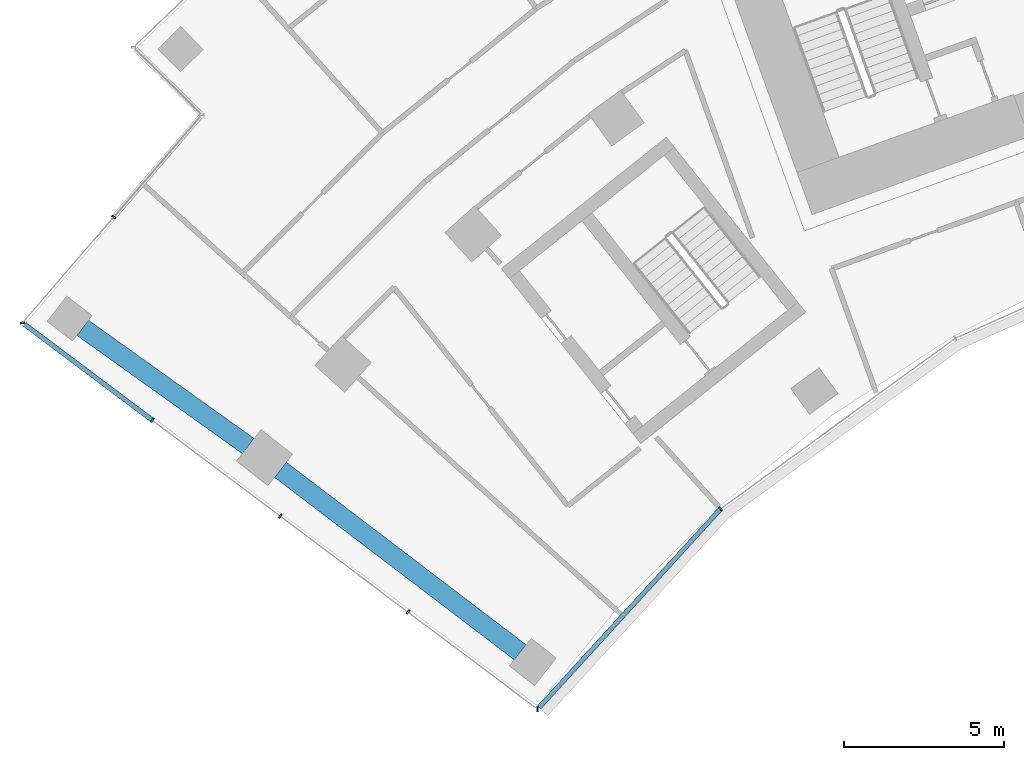
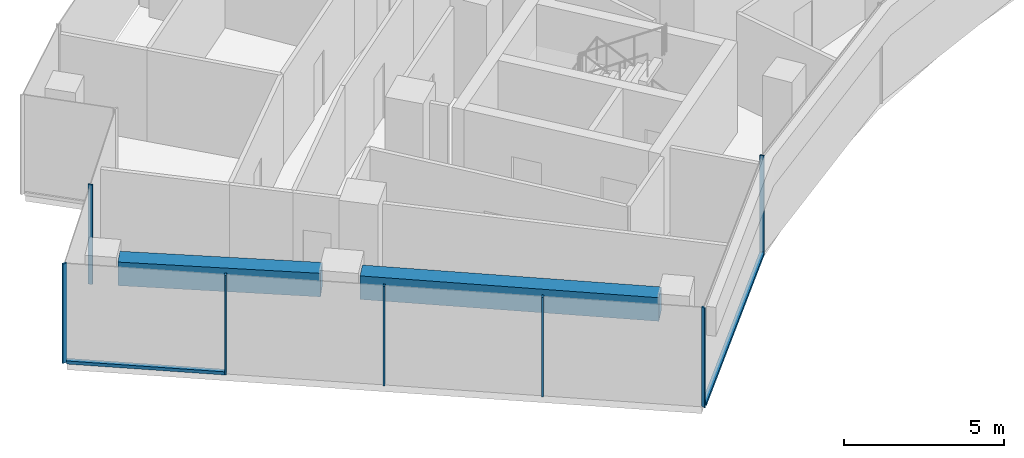
# One storey, part 2 of 20: 9 members, 2 beams, 3 elements without a shape of their own.
"""IFC4 building model written with IfcOpenShell, lengths in metres."""

from ifc_helpers import new_model, si_unit, direction, frame, origin, origin_2d, place, context, subcontext, project, spatial, rectangle, extrude, material, layer, layer_set, material_profile, profile_set, type_object, element, aggregate, save


model = new_model("IFC4")

# Units and contexts
model_context = context("Model", 3, precision=1e-05, world=origin(), true_north=direction((0.0, 1.0)))
body_context = subcontext(model_context, "Body", "Model", "MODEL_VIEW")
ifc_project = project(units=[si_unit("LENGTHUNIT", "METRE"), si_unit("AREAUNIT", "SQUARE_METRE"), si_unit("VOLUMEUNIT", "CUBIC_METRE"), si_unit("PLANEANGLEUNIT", "RADIAN"), si_unit("MASSUNIT", "GRAM", prefix="KILO")], contexts=[model_context])

# Site, building, storey
site_placement = place(None, origin())
site = spatial("IfcSite", under=ifc_project, at=site_placement, CompositionType="ELEMENT")
building_placement = place(site_placement, origin())
building = spatial("IfcBuilding", under=site, at=building_placement, Name="Stone Belt Terrace Tower", CompositionType="ELEMENT")
storey_placement = place(building_placement, frame((0.0, 0.0, 147.800048828125)))
storey = spatial("IfcBuildingStorey", under=building, at=storey_placement, Name="L35", CompositionType="ELEMENT", Elevation=147.800048828125)

# Curtain wall, members
ifc_material_1 = material(Name="Aluminium 6063-T6 anodised frame", Category="aluminium")
ifc_layer_1 = layer(ifc_material_1, 0.14990234375)
ifc_layer_set_1 = layer_set([ifc_layer_1], Name="CW-B unitised concave-face curtain wall")
curtain_wall_type_1 = type_object("IfcCurtainWallType", Name="CW-B unitised concave-face curtain wall", PredefinedType="NOTDEFINED", material=ifc_layer_set_1)
curtain_wall_1_placement = place(storey_placement, origin())
curtain_wall_1 = element("IfcCurtainWall", 1, at=curtain_wall_1_placement, inside=storey, type_object=curtain_wall_type_1, Name="CW-B concave face L35", PredefinedType="NOTDEFINED")
ifc_material_profile_1 = material_profile(ifc_material_1, rectangle(XDim=0.14990234375, YDim=0.050048828125, at=origin_2d()), Name="Aluminium 6063-T6 50x150")
ifc_profile_set_1 = profile_set([ifc_material_profile_1], Name="Aluminium 6063-T6 anodised frame")
member_type_1 = type_object("IfcMemberType", Name="CW-B mullion 50 x 150", PredefinedType="MULLION", material=ifc_profile_set_1)
member_1_placement = place(storey_placement, frame((-34.7900390625, 26.0, 0.0), z_axis=(0.0, 0.0, 1.0), x_axis=(-0.093180581986, 0.995649224949, 0.0)))
member_1 = element("IfcMember", 2, at=member_1_placement, type_object=member_type_1, Name="CW-B mullion 1", PredefinedType="MULLION", context=body_context, shape_type="SweptSolid", body=[
    extrude(rectangle(XDim=0.14990234375, YDim=0.050048828125, at=origin_2d()), origin(), (0.0, 0.0, 1.0), 3.800048828125),
])
member_2_placement = place(storey_placement, frame((-29.056884765625, 32.2705078125, 0.0), z_axis=(0.0, 0.0, 1.0), x_axis=(-0.666300886777, 0.745682994496, 0.0)))
member_2 = element("IfcMember", 3, at=member_2_placement, type_object=member_type_1, Name="CW-B mullion 2", PredefinedType="MULLION", context=body_context, shape_type="SweptSolid", body=[
    extrude(rectangle(XDim=0.14990234375, YDim=0.050048828125, at=origin_2d()), origin(), (0.0, 0.0, 1.0), 3.800048828125),
])
ifc_material_profile_2 = material_profile(ifc_material_1, rectangle(XDim=0.14990234375, YDim=0.1201171875, at=origin_2d()), Name="Aluminium 6063-T6 150x120")
ifc_profile_set_2 = profile_set([ifc_material_profile_2], Name="Aluminium 6063-T6 anodised frame")
member_type_2 = type_object("IfcMemberType", Name="CW-B transom 120 x 150", PredefinedType="USERDEFINED", material=ifc_profile_set_2)
member_3_placement = place(storey_placement, frame((-34.743408203125, 26.05078125, 0.06005859375), z_axis=(0.674757432231, 0.738039570517, 0.0), x_axis=(-0.738039570517, 0.674757432231, 0.0)))
member_3 = element("IfcMember", 4, at=member_3_placement, type_object=member_type_2, Name="CW-B transom 1.1", ObjectType="TRANSOM", PredefinedType="USERDEFINED", context=body_context, shape_type="SweptSolid", body=[
    extrude(rectangle(XDim=0.14990234375, YDim=0.1201171875, at=origin_2d()), origin(), (0.0, 0.0, 1.0), 8.39501953125),
])
aggregate(curtain_wall_1, [member_1, member_2, member_3])

# Curtain wall, member
ifc_layer_2 = layer(ifc_material_1, 0.14990234375)
ifc_layer_set_2 = layer_set([ifc_layer_2], Name="CW-C stick curtain wall, horn ends and notches")
curtain_wall_type_2 = type_object("IfcCurtainWallType", Name="CW-C stick curtain wall, horn ends and notches", PredefinedType="NOTDEFINED", material=ifc_layer_set_2)
curtain_wall_2_placement = place(storey_placement, origin())
curtain_wall_2 = element("IfcCurtainWall", 5, at=curtain_wall_2_placement, inside=storey, type_object=curtain_wall_type_2, Name="CW-C notch face L35", PredefinedType="NOTDEFINED")
ifc_material_profile_3 = material_profile(ifc_material_1, rectangle(XDim=0.14990234375, YDim=0.06005859375, at=origin_2d()), Name="Aluminium 6063-T6 60x150")
ifc_profile_set_3 = profile_set([ifc_material_profile_3], Name="Aluminium 6063-T6 anodised frame")
member_type_3 = type_object("IfcMemberType", Name="CW-C mullion 60 x 150", PredefinedType="MULLION", material=ifc_profile_set_3)
member_4_placement = place(storey_placement, frame((-48.05322265625, 41.40283203125, 0.0), z_axis=(0.0, 0.0, 1.0), x_axis=(0.757583847343, -0.652737860281, 0.0)))
member_4 = element("IfcMember", 6, at=member_4_placement, type_object=member_type_3, Name="CW-C mullion 2", PredefinedType="MULLION", context=body_context, shape_type="SweptSolid", body=[
    extrude(rectangle(XDim=0.14990234375, YDim=0.06005859375, at=origin_2d()), origin(), (0.0, 0.0, 1.0), 3.800048828125),
])
aggregate(curtain_wall_2, [member_4])

# Curtain wall, members
curtain_wall_3_placement = place(storey_placement, origin())
curtain_wall_3 = element("IfcCurtainWall", 7, at=curtain_wall_3_placement, inside=storey, type_object=curtain_wall_type_2, Name="CW-C end face L35", PredefinedType="NOTDEFINED")
member_5_placement = place(storey_placement, frame((-50.908447265625, 38.08935546875, 0.0), z_axis=(0.0, 0.0, 1.0), x_axis=(0.994169356535, 0.107829914807, 0.0)))
member_5 = element("IfcMember", 8, at=member_5_placement, type_object=member_type_3, Name="CW-C mullion 1", PredefinedType="MULLION", context=body_context, shape_type="SweptSolid", body=[
    extrude(rectangle(XDim=0.14990234375, YDim=0.06005859375, at=origin_2d()), origin(), (0.0, 0.0, 1.0), 3.800048828125),
])
member_6_placement = place(storey_placement, frame((-46.84423828125, 35.041015625, 0.0), z_axis=(0.0, 0.0, 1.0), x_axis=(0.600017992436, 0.799986505357, 0.0)))
member_6 = element("IfcMember", 9, at=member_6_placement, type_object=member_type_3, Name="CW-C mullion 2", PredefinedType="MULLION", context=body_context, shape_type="SweptSolid", body=[
    extrude(rectangle(XDim=0.14990234375, YDim=0.06005859375, at=origin_2d()), origin(), (0.0, 0.0, 1.0), 3.800048828125),
])
member_7_placement = place(storey_placement, frame((-42.84423828125, 32.041015625, 0.0), z_axis=(0.0, 0.0, 1.0), x_axis=(0.600017992436, 0.799986505357, 0.0)))
member_7 = element("IfcMember", 10, at=member_7_placement, type_object=member_type_3, Name="CW-C mullion 3", PredefinedType="MULLION", context=body_context, shape_type="SweptSolid", body=[
    extrude(rectangle(XDim=0.14990234375, YDim=0.06005859375, at=origin_2d()), origin(), (0.0, 0.0, 1.0), 3.800048828125),
])
member_8_placement = place(storey_placement, frame((-38.84423828125, 29.040771484375, 0.0), z_axis=(0.0, 0.0, 1.0), x_axis=(0.600017992436, 0.799986505357, 0.0)))
member_8 = element("IfcMember", 11, at=member_8_placement, type_object=member_type_3, Name="CW-C mullion 4", PredefinedType="MULLION", context=body_context, shape_type="SweptSolid", body=[
    extrude(rectangle(XDim=0.14990234375, YDim=0.06005859375, at=origin_2d()), origin(), (0.0, 0.0, 1.0), 3.800048828125),
])
ifc_material_profile_4 = material_profile(ifc_material_1, rectangle(XDim=0.14990234375, YDim=0.1201171875, at=origin_2d()), Name="Aluminium 6063-T6 150x120")
ifc_profile_set_4 = profile_set([ifc_material_profile_4], Name="Aluminium 6063-T6 anodised frame")
member_type_4 = type_object("IfcMemberType", Name="CW-C transom 120 x 150", PredefinedType="USERDEFINED", material=ifc_profile_set_4)
member_9_placement = place(storey_placement, frame((-50.84814453125, 38.044189453125, 0.06005859375), z_axis=(0.799988222323, -0.600015703248, 0.0), x_axis=(0.600015703248, 0.799988222323, 0.0)))
member_9 = element("IfcMember", 12, at=member_9_placement, type_object=member_type_4, Name="CW-C transom 1.1", ObjectType="TRANSOM", PredefinedType="USERDEFINED", context=body_context, shape_type="SweptSolid", body=[
    extrude(rectangle(XDim=0.14990234375, YDim=0.1201171875, at=origin_2d()), origin(), (0.0, 0.0, 1.0), 4.97509765625),
])
aggregate(curtain_wall_3, [member_5, member_6, member_7, member_8, member_9])

# Beams
ifc_material_2 = material(Name="Concrete B60", Category="concrete")
ifc_material_profile_5 = material_profile(ifc_material_2, rectangle(XDim=0.60009765625, YDim=0.89990234375, at=origin_2d()), Name="RC 600x900")
ifc_profile_set_5 = profile_set([ifc_material_profile_5], Name="Concrete B60")
beam_type = type_object("IfcBeamType", Name="Edge beam RC 600x900 B60", PredefinedType="SPANDREL", material=ifc_profile_set_5)
beam_1_placement = place(storey_placement, frame((-35.33203125, 27.779541015625, 3.030029296875), z_axis=(-0.795702028976, 0.605688270552, 0.0), x_axis=(-0.605688270552, -0.795702028976, 0.0)))
element("IfcBeam", 13, at=beam_1_placement, inside=storey, type_object=beam_type, Name="Edge beam L35 A P to Q", PredefinedType="SPANDREL", context=body_context, shape_type="SweptSolid", body=[
    extrude(rectangle(XDim=0.60009765625, YDim=0.89990234375, at=origin_2d()), origin(), (0.0, 0.0, 1.0), 9.430908203125),
])
beam_2_placement = place(storey_placement, frame((-43.842529296875, 34.23388671875, 3.030029296875), z_axis=(-0.813774908454, 0.581180177201, 0.0), x_axis=(-0.581180177201, -0.813774908454, 0.0)))
element("IfcBeam", 14, at=beam_2_placement, inside=storey, type_object=beam_type, Name="Edge beam L35 A Q to R", PredefinedType="SPANDREL", context=body_context, shape_type="SweptSolid", body=[
    extrude(rectangle(XDim=0.60009765625, YDim=0.89990234375, at=origin_2d()), origin(), (0.0, 0.0, 1.0), 6.369140625),
])

save(model, "model.ifc")
